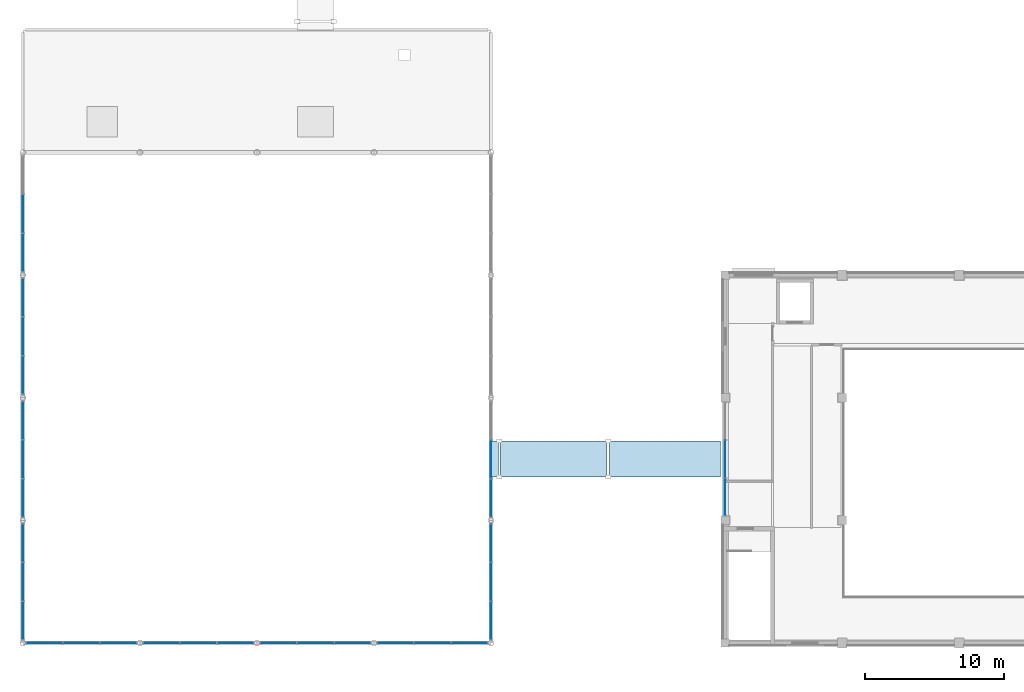
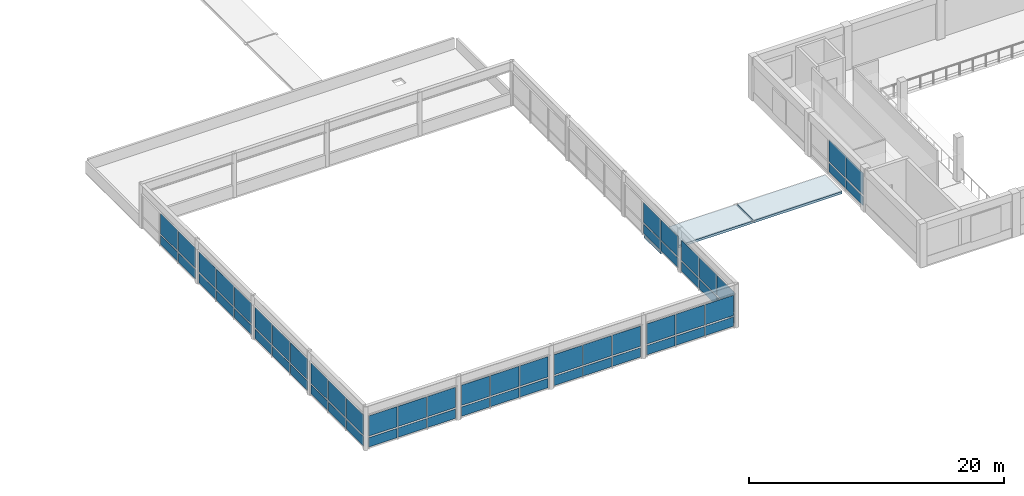
# One storey, part 25 of 46: 60 plates, 3 slabs, 11 elements without a shape of their own.
"""IFC4 building model written with IfcOpenShell, lengths in metres."""

from ifc_helpers import new_model, si_unit, direction, frame, origin, origin_2d, place, context, subcontext, project, spatial, polyline, rectangle, outline, extrude, material, layer, layer_set, type_object, element, aggregate, save


model = new_model("IFC4")

# Units and contexts
model_context = context("Model", 3, precision=1e-05, world=origin(), true_north=direction((0.0, 1.0)))
body_context = subcontext(model_context, "Body", "Model", "MODEL_VIEW")
ifc_project = project(units=[si_unit("LENGTHUNIT", "METRE"), si_unit("AREAUNIT", "SQUARE_METRE"), si_unit("VOLUMEUNIT", "CUBIC_METRE"), si_unit("PLANEANGLEUNIT", "RADIAN"), si_unit("MASSUNIT", "GRAM", prefix="KILO")], contexts=[model_context])

# Site, building, storey
site_placement = place(None, origin())
site = spatial("IfcSite", under=ifc_project, at=site_placement, CompositionType="ELEMENT")
building_placement = place(site_placement, origin())
building = spatial("IfcBuilding", under=site, at=building_placement, Name="Kemercrest Conservatory and Botanical Centre", CompositionType="ELEMENT")
storey_placement = place(building_placement, frame((0.0, 0.0, 9.0)))
storey = spatial("IfcBuildingStorey", under=building, at=storey_placement, Name="L02", CompositionType="ELEMENT", Elevation=9.0)

# Curtain wall, plates
ifc_material_1 = material(Name="Thermally broken aluminium and triple low-e glazing", Category="aluminium")
curtain_wall_type_1 = type_object("IfcCurtainWallType", Name="CW-30", PredefinedType="USERDEFINED", material=ifc_material_1)
curtain_wall_1_placement = place(storey_placement, origin())
curtain_wall_1 = element("IfcCurtainWall", 1, at=curtain_wall_1_placement, inside=storey, type_object=curtain_wall_type_1, Name="Unitised curtain wall CW-30 (CW:L02:V2-029)", ObjectType="UNITISED CURTAIN WALL", PredefinedType="USERDEFINED")
ifc_material_2 = material(Name="Triple low-e argon insulated glazing unit", Category="glass")
ifc_layer_1 = layer(ifc_material_2, 0.035888671875)
ifc_layer_set_1 = layer_set([ifc_layer_1], Name="Triple low-e argon insulated glazing unit")
plate_type_1 = type_object("IfcPlateType", Name="CW-PNL036", PredefinedType="CURTAIN_PANEL", material=ifc_layer_set_1)
plate_1_placement = place(storey_placement, frame((58.39990234375, 30.0, 0.179931640625), z_axis=(0.0, 0.0, 1.0), x_axis=(0.0, -1.0, 0.0)))
plate_1 = element("IfcPlate", 2, at=plate_1_placement, type_object=plate_type_1, Name="CW-30 panel 2.1", PredefinedType="CURTAIN_PANEL", context=body_context, shape_type="SweptSolid", body=[
    extrude(rectangle(XDim=2.671630859375, YDim=0.035888671875, at=origin_2d()), origin(), (0.0, 0.0, 1.0), 0.85009765625),
])
plate_2_placement = place(storey_placement, frame((58.39990234375, 30.0, 1.2099609375), z_axis=(0.0, 0.0, 1.0), x_axis=(0.0, -1.0, 0.0)))
plate_2 = element("IfcPlate", 3, at=plate_2_placement, type_object=plate_type_1, Name="CW-30 panel 2.2", PredefinedType="CURTAIN_PANEL", context=body_context, shape_type="SweptSolid", body=[
    extrude(rectangle(XDim=2.671630859375, YDim=0.035888671875, at=origin_2d()), origin(), (0.0, 0.0, 1.0), 2.06494140625),
])
plate_3_placement = place(storey_placement, frame((58.39990234375, 27.279541015625, 0.179931640625), z_axis=(0.0, 0.0, 1.0), x_axis=(0.0, -1.0, 0.0)))
plate_3 = element("IfcPlate", 4, at=plate_3_placement, type_object=plate_type_1, Name="CW-30 panel 3.1", PredefinedType="CURTAIN_PANEL", context=body_context, shape_type="SweptSolid", body=[
    extrude(rectangle(XDim=2.63916015625, YDim=0.035888671875, at=origin_2d()), origin(), (0.0, 0.0, 1.0), 0.85009765625),
])
plate_4_placement = place(storey_placement, frame((58.39990234375, 27.279541015625, 1.2099609375), z_axis=(0.0, 0.0, 1.0), x_axis=(0.0, -1.0, 0.0)))
plate_4 = element("IfcPlate", 5, at=plate_4_placement, type_object=plate_type_1, Name="CW-30 panel 3.2", PredefinedType="CURTAIN_PANEL", context=body_context, shape_type="SweptSolid", body=[
    extrude(rectangle(XDim=2.63916015625, YDim=0.035888671875, at=origin_2d()), origin(), (0.0, 0.0, 1.0), 2.06494140625),
])
aggregate(curtain_wall_1, [plate_1, plate_2, plate_3, plate_4])

curtain_wall_type_2 = type_object("IfcCurtainWallType", Name="CW-18", PredefinedType="USERDEFINED", material=ifc_material_1)
curtain_wall_2_placement = place(storey_placement, origin())
curtain_wall_2 = element("IfcCurtainWall", 6, at=curtain_wall_2_placement, inside=storey, type_object=curtain_wall_type_2, Name="Unitised curtain wall CW-18 (CW:L02:V1-017)", ObjectType="UNITISED CURTAIN WALL", PredefinedType="USERDEFINED")
ifc_material_3 = material(Name="Laminated solar-control conservatory glazing unit", Category="glass")
ifc_layer_2 = layer(ifc_material_3, 0.0419921875)
ifc_layer_set_2 = layer_set([ifc_layer_2], Name="Laminated solar-control conservatory glazing unit")
plate_type_2 = type_object("IfcPlateType", Name="CW-PNL042", PredefinedType="CURTAIN_PANEL", material=ifc_layer_set_2)
plate_5_placement = place(storey_placement, frame((9.552001953125, 16.800048828125, 0.14990234375), z_axis=(0.0, 0.0, 1.0), x_axis=(1.0, 0.0, 0.0)))
plate_5 = element("IfcPlate", 7, at=plate_5_placement, type_object=plate_type_2, Name="CW-18 panel 1.1", PredefinedType="CURTAIN_PANEL", context=body_context, shape_type="SweptSolid", body=[
    extrude(rectangle(XDim=2.55419921875, YDim=0.0419921875, at=origin_2d()), origin(), (0.0, 0.0, 1.0), 0.89501953125),
])
plate_6_placement = place(storey_placement, frame((9.552001953125, 16.800048828125, 1.195068359375), z_axis=(0.0, 0.0, 1.0), x_axis=(1.0, 0.0, 0.0)))
plate_6 = element("IfcPlate", 8, at=plate_6_placement, type_object=plate_type_2, Name="CW-18 panel 1.2", PredefinedType="CURTAIN_PANEL", context=body_context, shape_type="SweptSolid", body=[
    extrude(rectangle(XDim=2.55419921875, YDim=0.0419921875, at=origin_2d()), origin(), (0.0, 0.0, 1.0), 1.93310546875),
])
plate_7_placement = place(storey_placement, frame((12.199951171875, 16.800048828125, 0.14990234375), z_axis=(0.0, 0.0, 1.0), x_axis=(1.0, 0.0, 0.0)))
plate_7 = element("IfcPlate", 9, at=plate_7_placement, type_object=plate_type_2, Name="CW-18 panel 2.1", PredefinedType="CURTAIN_PANEL", context=body_context, shape_type="SweptSolid", body=[
    extrude(rectangle(XDim=2.591552734375, YDim=0.0419921875, at=origin_2d()), origin(), (0.0, 0.0, 1.0), 0.89501953125),
])
plate_8_placement = place(storey_placement, frame((12.199951171875, 16.800048828125, 1.195068359375), z_axis=(0.0, 0.0, 1.0), x_axis=(1.0, 0.0, 0.0)))
plate_8 = element("IfcPlate", 10, at=plate_8_placement, type_object=plate_type_2, Name="CW-18 panel 2.2", PredefinedType="CURTAIN_PANEL", context=body_context, shape_type="SweptSolid", body=[
    extrude(rectangle(XDim=2.591552734375, YDim=0.0419921875, at=origin_2d()), origin(), (0.0, 0.0, 1.0), 1.93310546875),
])
plate_9_placement = place(storey_placement, frame((14.847900390625, 16.800048828125, 0.14990234375), z_axis=(0.0, 0.0, 1.0), x_axis=(1.0, 0.0, 0.0)))
plate_9 = element("IfcPlate", 11, at=plate_9_placement, type_object=plate_type_2, Name="CW-18 panel 3.1", PredefinedType="CURTAIN_PANEL", context=body_context, shape_type="SweptSolid", body=[
    extrude(rectangle(XDim=2.55419921875, YDim=0.0419921875, at=origin_2d()), origin(), (0.0, 0.0, 1.0), 0.89501953125),
])
plate_10_placement = place(storey_placement, frame((14.847900390625, 16.800048828125, 1.195068359375), z_axis=(0.0, 0.0, 1.0), x_axis=(1.0, 0.0, 0.0)))
plate_10 = element("IfcPlate", 12, at=plate_10_placement, type_object=plate_type_2, Name="CW-18 panel 3.2", PredefinedType="CURTAIN_PANEL", context=body_context, shape_type="SweptSolid", body=[
    extrude(rectangle(XDim=2.55419921875, YDim=0.0419921875, at=origin_2d()), origin(), (0.0, 0.0, 1.0), 1.93310546875),
])
aggregate(curtain_wall_2, [plate_5, plate_6, plate_7, plate_8, plate_9, plate_10])

curtain_wall_type_3 = type_object("IfcCurtainWallType", Name="CW-19", PredefinedType="USERDEFINED", material=ifc_material_1)
curtain_wall_3_placement = place(storey_placement, origin())
curtain_wall_3 = element("IfcCurtainWall", 13, at=curtain_wall_3_placement, inside=storey, type_object=curtain_wall_type_3, Name="Unitised curtain wall CW-19 (CW:L02:V1-018)", ObjectType="UNITISED CURTAIN WALL", PredefinedType="USERDEFINED")
plate_11_placement = place(storey_placement, frame((17.9521484375, 16.800048828125, 0.14990234375), z_axis=(0.0, 0.0, 1.0), x_axis=(1.0, 0.0, 0.0)))
plate_11 = element("IfcPlate", 14, at=plate_11_placement, type_object=plate_type_2, Name="CW-19 panel 1.1", PredefinedType="CURTAIN_PANEL", context=body_context, shape_type="SweptSolid", body=[
    extrude(rectangle(XDim=2.55419921875, YDim=0.0419921875, at=origin_2d()), origin(), (0.0, 0.0, 1.0), 0.89501953125),
])
plate_12_placement = place(storey_placement, frame((17.9521484375, 16.800048828125, 1.195068359375), z_axis=(0.0, 0.0, 1.0), x_axis=(1.0, 0.0, 0.0)))
plate_12 = element("IfcPlate", 15, at=plate_12_placement, type_object=plate_type_2, Name="CW-19 panel 1.2", PredefinedType="CURTAIN_PANEL", context=body_context, shape_type="SweptSolid", body=[
    extrude(rectangle(XDim=2.55419921875, YDim=0.0419921875, at=origin_2d()), origin(), (0.0, 0.0, 1.0), 1.93310546875),
])
plate_13_placement = place(storey_placement, frame((20.60009765625, 16.800048828125, 0.14990234375), z_axis=(0.0, 0.0, 1.0), x_axis=(1.0, 0.0, 0.0)))
plate_13 = element("IfcPlate", 16, at=plate_13_placement, type_object=plate_type_2, Name="CW-19 panel 2.1", PredefinedType="CURTAIN_PANEL", context=body_context, shape_type="SweptSolid", body=[
    extrude(rectangle(XDim=2.591552734375, YDim=0.0419921875, at=origin_2d()), origin(), (0.0, 0.0, 1.0), 0.89501953125),
])
plate_14_placement = place(storey_placement, frame((20.60009765625, 16.800048828125, 1.195068359375), z_axis=(0.0, 0.0, 1.0), x_axis=(1.0, 0.0, 0.0)))
plate_14 = element("IfcPlate", 17, at=plate_14_placement, type_object=plate_type_2, Name="CW-19 panel 2.2", PredefinedType="CURTAIN_PANEL", context=body_context, shape_type="SweptSolid", body=[
    extrude(rectangle(XDim=2.591552734375, YDim=0.0419921875, at=origin_2d()), origin(), (0.0, 0.0, 1.0), 1.93310546875),
])
plate_15_placement = place(storey_placement, frame((23.247802734375, 16.800048828125, 0.14990234375), z_axis=(0.0, 0.0, 1.0), x_axis=(1.0, 0.0, 0.0)))
plate_15 = element("IfcPlate", 18, at=plate_15_placement, type_object=plate_type_2, Name="CW-19 panel 3.1", PredefinedType="CURTAIN_PANEL", context=body_context, shape_type="SweptSolid", body=[
    extrude(rectangle(XDim=2.55419921875, YDim=0.0419921875, at=origin_2d()), origin(), (0.0, 0.0, 1.0), 0.89501953125),
])
plate_16_placement = place(storey_placement, frame((23.247802734375, 16.800048828125, 1.195068359375), z_axis=(0.0, 0.0, 1.0), x_axis=(1.0, 0.0, 0.0)))
plate_16 = element("IfcPlate", 19, at=plate_16_placement, type_object=plate_type_2, Name="CW-19 panel 3.2", PredefinedType="CURTAIN_PANEL", context=body_context, shape_type="SweptSolid", body=[
    extrude(rectangle(XDim=2.55419921875, YDim=0.0419921875, at=origin_2d()), origin(), (0.0, 0.0, 1.0), 1.93310546875),
])
aggregate(curtain_wall_3, [plate_11, plate_12, plate_13, plate_14, plate_15, plate_16])

curtain_wall_type_4 = type_object("IfcCurtainWallType", Name="CW-20", PredefinedType="USERDEFINED", material=ifc_material_1)
curtain_wall_4_placement = place(storey_placement, origin())
curtain_wall_4 = element("IfcCurtainWall", 20, at=curtain_wall_4_placement, inside=storey, type_object=curtain_wall_type_4, Name="Unitised curtain wall CW-20 (CW:L02:V1-019)", ObjectType="UNITISED CURTAIN WALL", PredefinedType="USERDEFINED")
plate_17_placement = place(storey_placement, frame((26.35205078125, 16.800048828125, 0.14990234375), z_axis=(0.0, 0.0, 1.0), x_axis=(1.0, 0.0, 0.0)))
plate_17 = element("IfcPlate", 21, at=plate_17_placement, type_object=plate_type_2, Name="CW-20 panel 1.1", PredefinedType="CURTAIN_PANEL", context=body_context, shape_type="SweptSolid", body=[
    extrude(rectangle(XDim=2.55419921875, YDim=0.0419921875, at=origin_2d()), origin(), (0.0, 0.0, 1.0), 0.89501953125),
])
plate_18_placement = place(storey_placement, frame((26.35205078125, 16.800048828125, 1.195068359375), z_axis=(0.0, 0.0, 1.0), x_axis=(1.0, 0.0, 0.0)))
plate_18 = element("IfcPlate", 22, at=plate_18_placement, type_object=plate_type_2, Name="CW-20 panel 1.2", PredefinedType="CURTAIN_PANEL", context=body_context, shape_type="SweptSolid", body=[
    extrude(rectangle(XDim=2.55419921875, YDim=0.0419921875, at=origin_2d()), origin(), (0.0, 0.0, 1.0), 1.93310546875),
])
plate_19_placement = place(storey_placement, frame((29.0, 16.800048828125, 0.14990234375), z_axis=(0.0, 0.0, 1.0), x_axis=(1.0, 0.0, 0.0)))
plate_19 = element("IfcPlate", 23, at=plate_19_placement, type_object=plate_type_2, Name="CW-20 panel 2.1", PredefinedType="CURTAIN_PANEL", context=body_context, shape_type="SweptSolid", body=[
    extrude(rectangle(XDim=2.591552734375, YDim=0.0419921875, at=origin_2d()), origin(), (0.0, 0.0, 1.0), 0.89501953125),
])
plate_20_placement = place(storey_placement, frame((29.0, 16.800048828125, 1.195068359375), z_axis=(0.0, 0.0, 1.0), x_axis=(1.0, 0.0, 0.0)))
plate_20 = element("IfcPlate", 24, at=plate_20_placement, type_object=plate_type_2, Name="CW-20 panel 2.2", PredefinedType="CURTAIN_PANEL", context=body_context, shape_type="SweptSolid", body=[
    extrude(rectangle(XDim=2.591552734375, YDim=0.0419921875, at=origin_2d()), origin(), (0.0, 0.0, 1.0), 1.93310546875),
])
plate_21_placement = place(storey_placement, frame((31.64794921875, 16.800048828125, 0.14990234375), z_axis=(0.0, 0.0, 1.0), x_axis=(1.0, 0.0, 0.0)))
plate_21 = element("IfcPlate", 25, at=plate_21_placement, type_object=plate_type_2, Name="CW-20 panel 3.1", PredefinedType="CURTAIN_PANEL", context=body_context, shape_type="SweptSolid", body=[
    extrude(rectangle(XDim=2.55419921875, YDim=0.0419921875, at=origin_2d()), origin(), (0.0, 0.0, 1.0), 0.89501953125),
])
plate_22_placement = place(storey_placement, frame((31.64794921875, 16.800048828125, 1.195068359375), z_axis=(0.0, 0.0, 1.0), x_axis=(1.0, 0.0, 0.0)))
plate_22 = element("IfcPlate", 26, at=plate_22_placement, type_object=plate_type_2, Name="CW-20 panel 3.2", PredefinedType="CURTAIN_PANEL", context=body_context, shape_type="SweptSolid", body=[
    extrude(rectangle(XDim=2.55419921875, YDim=0.0419921875, at=origin_2d()), origin(), (0.0, 0.0, 1.0), 1.93310546875),
])
aggregate(curtain_wall_4, [plate_17, plate_18, plate_19, plate_20, plate_21, plate_22])

curtain_wall_type_5 = type_object("IfcCurtainWallType", Name="CW-21", PredefinedType="USERDEFINED", material=ifc_material_1)
curtain_wall_5_placement = place(storey_placement, origin())
curtain_wall_5 = element("IfcCurtainWall", 27, at=curtain_wall_5_placement, inside=storey, type_object=curtain_wall_type_5, Name="Unitised curtain wall CW-21 (CW:L02:V1-020)", ObjectType="UNITISED CURTAIN WALL", PredefinedType="USERDEFINED")
plate_23_placement = place(storey_placement, frame((34.752197265625, 16.800048828125, 0.14990234375), z_axis=(0.0, 0.0, 1.0), x_axis=(1.0, 0.0, 0.0)))
plate_23 = element("IfcPlate", 28, at=plate_23_placement, type_object=plate_type_2, Name="CW-21 panel 1.1", PredefinedType="CURTAIN_PANEL", context=body_context, shape_type="SweptSolid", body=[
    extrude(rectangle(XDim=2.55419921875, YDim=0.0419921875, at=origin_2d()), origin(), (0.0, 0.0, 1.0), 0.89501953125),
])
plate_24_placement = place(storey_placement, frame((34.752197265625, 16.800048828125, 1.195068359375), z_axis=(0.0, 0.0, 1.0), x_axis=(1.0, 0.0, 0.0)))
plate_24 = element("IfcPlate", 29, at=plate_24_placement, type_object=plate_type_2, Name="CW-21 panel 1.2", PredefinedType="CURTAIN_PANEL", context=body_context, shape_type="SweptSolid", body=[
    extrude(rectangle(XDim=2.55419921875, YDim=0.0419921875, at=origin_2d()), origin(), (0.0, 0.0, 1.0), 1.93310546875),
])
plate_25_placement = place(storey_placement, frame((37.39990234375, 16.800048828125, 0.14990234375), z_axis=(0.0, 0.0, 1.0), x_axis=(1.0, 0.0, 0.0)))
plate_25 = element("IfcPlate", 30, at=plate_25_placement, type_object=plate_type_2, Name="CW-21 panel 2.1", PredefinedType="CURTAIN_PANEL", context=body_context, shape_type="SweptSolid", body=[
    extrude(rectangle(XDim=2.591552734375, YDim=0.0419921875, at=origin_2d()), origin(), (0.0, 0.0, 1.0), 0.89501953125),
])
plate_26_placement = place(storey_placement, frame((37.39990234375, 16.800048828125, 1.195068359375), z_axis=(0.0, 0.0, 1.0), x_axis=(1.0, 0.0, 0.0)))
plate_26 = element("IfcPlate", 31, at=plate_26_placement, type_object=plate_type_2, Name="CW-21 panel 2.2", PredefinedType="CURTAIN_PANEL", context=body_context, shape_type="SweptSolid", body=[
    extrude(rectangle(XDim=2.591552734375, YDim=0.0419921875, at=origin_2d()), origin(), (0.0, 0.0, 1.0), 1.93310546875),
])
plate_27_placement = place(storey_placement, frame((40.0478515625, 16.800048828125, 0.14990234375), z_axis=(0.0, 0.0, 1.0), x_axis=(1.0, 0.0, 0.0)))
plate_27 = element("IfcPlate", 32, at=plate_27_placement, type_object=plate_type_2, Name="CW-21 panel 3.1", PredefinedType="CURTAIN_PANEL", context=body_context, shape_type="SweptSolid", body=[
    extrude(rectangle(XDim=2.55419921875, YDim=0.0419921875, at=origin_2d()), origin(), (0.0, 0.0, 1.0), 0.89501953125),
])
plate_28_placement = place(storey_placement, frame((40.0478515625, 16.800048828125, 1.195068359375), z_axis=(0.0, 0.0, 1.0), x_axis=(1.0, 0.0, 0.0)))
plate_28 = element("IfcPlate", 33, at=plate_28_placement, type_object=plate_type_2, Name="CW-21 panel 3.2", PredefinedType="CURTAIN_PANEL", context=body_context, shape_type="SweptSolid", body=[
    extrude(rectangle(XDim=2.55419921875, YDim=0.0419921875, at=origin_2d()), origin(), (0.0, 0.0, 1.0), 1.93310546875),
])
aggregate(curtain_wall_5, [plate_23, plate_24, plate_25, plate_26, plate_27, plate_28])

curtain_wall_type_6 = type_object("IfcCurtainWallType", Name="CW-22", PredefinedType="USERDEFINED", material=ifc_material_1)
curtain_wall_6_placement = place(storey_placement, origin())
curtain_wall_6 = element("IfcCurtainWall", 34, at=curtain_wall_6_placement, inside=storey, type_object=curtain_wall_type_6, Name="Unitised curtain wall CW-22 (CW:L02:V1-021)", ObjectType="UNITISED CURTAIN WALL", PredefinedType="USERDEFINED")
plate_29_placement = place(storey_placement, frame((41.60009765625, 18.418701171875, 0.14990234375), z_axis=(0.0, 0.0, 1.0), x_axis=(0.0, 1.0, 0.0)))
plate_29 = element("IfcPlate", 35, at=plate_29_placement, type_object=plate_type_2, Name="CW-22 panel 1.1", PredefinedType="CURTAIN_PANEL", context=body_context, shape_type="SweptSolid", body=[
    extrude(rectangle(XDim=2.6875, YDim=0.0419921875, at=origin_2d()), origin(), (0.0, 0.0, 1.0), 0.89501953125),
])
plate_30_placement = place(storey_placement, frame((41.60009765625, 18.418701171875, 1.195068359375), z_axis=(0.0, 0.0, 1.0), x_axis=(0.0, 1.0, 0.0)))
plate_30 = element("IfcPlate", 36, at=plate_30_placement, type_object=plate_type_2, Name="CW-22 panel 1.2", PredefinedType="CURTAIN_PANEL", context=body_context, shape_type="SweptSolid", body=[
    extrude(rectangle(XDim=2.6875, YDim=0.0419921875, at=origin_2d()), origin(), (0.0, 0.0, 1.0), 1.93310546875),
])
plate_31_placement = place(storey_placement, frame((41.60009765625, 21.199951171875, 0.14990234375), z_axis=(0.0, 0.0, 1.0), x_axis=(0.0, 1.0, 0.0)))
plate_31 = element("IfcPlate", 37, at=plate_31_placement, type_object=plate_type_2, Name="CW-22 panel 2.1", PredefinedType="CURTAIN_PANEL", context=body_context, shape_type="SweptSolid", body=[
    extrude(rectangle(XDim=2.72509765625, YDim=0.0419921875, at=origin_2d()), origin(), (0.0, 0.0, 1.0), 0.89501953125),
])
plate_32_placement = place(storey_placement, frame((41.60009765625, 21.199951171875, 1.195068359375), z_axis=(0.0, 0.0, 1.0), x_axis=(0.0, 1.0, 0.0)))
plate_32 = element("IfcPlate", 38, at=plate_32_placement, type_object=plate_type_2, Name="CW-22 panel 2.2", PredefinedType="CURTAIN_PANEL", context=body_context, shape_type="SweptSolid", body=[
    extrude(rectangle(XDim=2.72509765625, YDim=0.0419921875, at=origin_2d()), origin(), (0.0, 0.0, 1.0), 1.93310546875),
])
plate_33_placement = place(storey_placement, frame((41.60009765625, 23.981201171875, 0.14990234375), z_axis=(0.0, 0.0, 1.0), x_axis=(0.0, 1.0, 0.0)))
plate_33 = element("IfcPlate", 39, at=plate_33_placement, type_object=plate_type_2, Name="CW-22 panel 3.1", PredefinedType="CURTAIN_PANEL", context=body_context, shape_type="SweptSolid", body=[
    extrude(rectangle(XDim=2.6875, YDim=0.0419921875, at=origin_2d()), origin(), (0.0, 0.0, 1.0), 0.89501953125),
])
plate_34_placement = place(storey_placement, frame((41.60009765625, 23.981201171875, 1.195068359375), z_axis=(0.0, 0.0, 1.0), x_axis=(0.0, 1.0, 0.0)))
plate_34 = element("IfcPlate", 40, at=plate_34_placement, type_object=plate_type_2, Name="CW-22 panel 3.2", PredefinedType="CURTAIN_PANEL", context=body_context, shape_type="SweptSolid", body=[
    extrude(rectangle(XDim=2.6875, YDim=0.0419921875, at=origin_2d()), origin(), (0.0, 0.0, 1.0), 1.93310546875),
])
aggregate(curtain_wall_6, [plate_29, plate_30, plate_31, plate_32, plate_33, plate_34])

curtain_wall_type_7 = type_object("IfcCurtainWallType", Name="CW-23", PredefinedType="USERDEFINED", material=ifc_material_1)
curtain_wall_7_placement = place(storey_placement, origin())
curtain_wall_7 = element("IfcCurtainWall", 41, at=curtain_wall_7_placement, inside=storey, type_object=curtain_wall_type_7, Name="Unitised curtain wall CW-23 (CW:L02:V1-022)", ObjectType="UNITISED CURTAIN WALL", PredefinedType="USERDEFINED")
plate_35_placement = place(storey_placement, frame((41.60009765625, 27.21875, 0.14990234375), z_axis=(0.0, 0.0, 1.0), x_axis=(0.0, 1.0, 0.0)))
plate_35 = element("IfcPlate", 42, at=plate_35_placement, type_object=plate_type_2, Name="CW-23 panel 1.1", PredefinedType="CURTAIN_PANEL", context=body_context, shape_type="SweptSolid", body=[
    extrude(rectangle(XDim=2.6875, YDim=0.0419921875, at=origin_2d()), origin(), (0.0, 0.0, 1.0), 0.89501953125),
])
plate_36_placement = place(storey_placement, frame((41.60009765625, 27.21875, 1.195068359375), z_axis=(0.0, 0.0, 1.0), x_axis=(0.0, 1.0, 0.0)))
plate_36 = element("IfcPlate", 43, at=plate_36_placement, type_object=plate_type_2, Name="CW-23 panel 1.2", PredefinedType="CURTAIN_PANEL", context=body_context, shape_type="SweptSolid", body=[
    extrude(rectangle(XDim=2.6875, YDim=0.0419921875, at=origin_2d()), origin(), (0.0, 0.0, 1.0), 1.93310546875),
])
plate_37_placement = place(storey_placement, frame((41.60009765625, 30.0, 0.14990234375), z_axis=(0.0, 0.0, 1.0), x_axis=(0.0, 1.0, 0.0)))
plate_37 = element("IfcPlate", 44, at=plate_37_placement, type_object=plate_type_2, Name="CW-23 panel 2.1", PredefinedType="CURTAIN_PANEL", context=body_context, shape_type="SweptSolid", body=[
    extrude(rectangle(XDim=2.72509765625, YDim=0.0419921875, at=origin_2d()), origin(), (0.0, 0.0, 1.0), 0.89501953125),
])
plate_38_placement = place(storey_placement, frame((41.60009765625, 30.0, 1.195068359375), z_axis=(0.0, 0.0, 1.0), x_axis=(0.0, 1.0, 0.0)))
plate_38 = element("IfcPlate", 45, at=plate_38_placement, type_object=plate_type_2, Name="CW-23 panel 2.2", PredefinedType="CURTAIN_PANEL", context=body_context, shape_type="SweptSolid", body=[
    extrude(rectangle(XDim=2.72509765625, YDim=0.0419921875, at=origin_2d()), origin(), (0.0, 0.0, 1.0), 1.93310546875),
])
aggregate(curtain_wall_7, [plate_35, plate_36, plate_37, plate_38])

curtain_wall_type_8 = type_object("IfcCurtainWallType", Name="CW-26", PredefinedType="USERDEFINED", material=ifc_material_1)
curtain_wall_8_placement = place(storey_placement, origin())
curtain_wall_8 = element("IfcCurtainWall", 46, at=curtain_wall_8_placement, inside=storey, type_object=curtain_wall_type_8, Name="Unitised curtain wall CW-26 (CW:L02:V1-025)", ObjectType="UNITISED CURTAIN WALL", PredefinedType="USERDEFINED")
plate_39_placement = place(storey_placement, frame((8.0, 47.60009765625, 0.14990234375), z_axis=(0.0, 0.0, 1.0), x_axis=(0.0, -1.0, 0.0)))
plate_39 = element("IfcPlate", 47, at=plate_39_placement, type_object=plate_type_2, Name="CW-26 panel 2.1", PredefinedType="CURTAIN_PANEL", context=body_context, shape_type="SweptSolid", body=[
    extrude(rectangle(XDim=2.72509765625, YDim=0.0419921875, at=origin_2d()), origin(), (0.0, 0.0, 1.0), 0.89501953125),
])
plate_40_placement = place(storey_placement, frame((8.0, 47.60009765625, 1.195068359375), z_axis=(0.0, 0.0, 1.0), x_axis=(0.0, -1.0, 0.0)))
plate_40 = element("IfcPlate", 48, at=plate_40_placement, type_object=plate_type_2, Name="CW-26 panel 2.2", PredefinedType="CURTAIN_PANEL", context=body_context, shape_type="SweptSolid", body=[
    extrude(rectangle(XDim=2.72509765625, YDim=0.0419921875, at=origin_2d()), origin(), (0.0, 0.0, 1.0), 1.93310546875),
])
plate_41_placement = place(storey_placement, frame((8.0, 44.81884765625, 0.14990234375), z_axis=(0.0, 0.0, 1.0), x_axis=(0.0, -1.0, 0.0)))
plate_41 = element("IfcPlate", 49, at=plate_41_placement, type_object=plate_type_2, Name="CW-26 panel 3.1", PredefinedType="CURTAIN_PANEL", context=body_context, shape_type="SweptSolid", body=[
    extrude(rectangle(XDim=2.6875, YDim=0.0419921875, at=origin_2d()), origin(), (0.0, 0.0, 1.0), 0.89501953125),
])
plate_42_placement = place(storey_placement, frame((8.0, 44.81884765625, 1.195068359375), z_axis=(0.0, 0.0, 1.0), x_axis=(0.0, -1.0, 0.0)))
plate_42 = element("IfcPlate", 50, at=plate_42_placement, type_object=plate_type_2, Name="CW-26 panel 3.2", PredefinedType="CURTAIN_PANEL", context=body_context, shape_type="SweptSolid", body=[
    extrude(rectangle(XDim=2.6875, YDim=0.0419921875, at=origin_2d()), origin(), (0.0, 0.0, 1.0), 1.93310546875),
])
aggregate(curtain_wall_8, [plate_39, plate_40, plate_41, plate_42])

curtain_wall_type_9 = type_object("IfcCurtainWallType", Name="CW-27", PredefinedType="USERDEFINED", material=ifc_material_1)
curtain_wall_9_placement = place(storey_placement, origin())
curtain_wall_9 = element("IfcCurtainWall", 51, at=curtain_wall_9_placement, inside=storey, type_object=curtain_wall_type_9, Name="Unitised curtain wall CW-27 (CW:L02:V1-026)", ObjectType="UNITISED CURTAIN WALL", PredefinedType="USERDEFINED")
plate_43_placement = place(storey_placement, frame((8.0, 41.581298828125, 0.14990234375), z_axis=(0.0, 0.0, 1.0), x_axis=(0.0, -1.0, 0.0)))
plate_43 = element("IfcPlate", 52, at=plate_43_placement, type_object=plate_type_2, Name="CW-27 panel 1.1", PredefinedType="CURTAIN_PANEL", context=body_context, shape_type="SweptSolid", body=[
    extrude(rectangle(XDim=2.6875, YDim=0.0419921875, at=origin_2d()), origin(), (0.0, 0.0, 1.0), 0.89501953125),
])
plate_44_placement = place(storey_placement, frame((8.0, 41.581298828125, 1.195068359375), z_axis=(0.0, 0.0, 1.0), x_axis=(0.0, -1.0, 0.0)))
plate_44 = element("IfcPlate", 53, at=plate_44_placement, type_object=plate_type_2, Name="CW-27 panel 1.2", PredefinedType="CURTAIN_PANEL", context=body_context, shape_type="SweptSolid", body=[
    extrude(rectangle(XDim=2.6875, YDim=0.0419921875, at=origin_2d()), origin(), (0.0, 0.0, 1.0), 1.93310546875),
])
plate_45_placement = place(storey_placement, frame((8.0, 38.800048828125, 0.14990234375), z_axis=(0.0, 0.0, 1.0), x_axis=(0.0, -1.0, 0.0)))
plate_45 = element("IfcPlate", 54, at=plate_45_placement, type_object=plate_type_2, Name="CW-27 panel 2.1", PredefinedType="CURTAIN_PANEL", context=body_context, shape_type="SweptSolid", body=[
    extrude(rectangle(XDim=2.72509765625, YDim=0.0419921875, at=origin_2d()), origin(), (0.0, 0.0, 1.0), 0.89501953125),
])
plate_46_placement = place(storey_placement, frame((8.0, 38.800048828125, 1.195068359375), z_axis=(0.0, 0.0, 1.0), x_axis=(0.0, -1.0, 0.0)))
plate_46 = element("IfcPlate", 55, at=plate_46_placement, type_object=plate_type_2, Name="CW-27 panel 2.2", PredefinedType="CURTAIN_PANEL", context=body_context, shape_type="SweptSolid", body=[
    extrude(rectangle(XDim=2.72509765625, YDim=0.0419921875, at=origin_2d()), origin(), (0.0, 0.0, 1.0), 1.93310546875),
])
plate_47_placement = place(storey_placement, frame((8.0, 36.018798828125, 0.14990234375), z_axis=(0.0, 0.0, 1.0), x_axis=(0.0, -1.0, 0.0)))
plate_47 = element("IfcPlate", 56, at=plate_47_placement, type_object=plate_type_2, Name="CW-27 panel 3.1", PredefinedType="CURTAIN_PANEL", context=body_context, shape_type="SweptSolid", body=[
    extrude(rectangle(XDim=2.6875, YDim=0.0419921875, at=origin_2d()), origin(), (0.0, 0.0, 1.0), 0.89501953125),
])
plate_48_placement = place(storey_placement, frame((8.0, 36.018798828125, 1.195068359375), z_axis=(0.0, 0.0, 1.0), x_axis=(0.0, -1.0, 0.0)))
plate_48 = element("IfcPlate", 57, at=plate_48_placement, type_object=plate_type_2, Name="CW-27 panel 3.2", PredefinedType="CURTAIN_PANEL", context=body_context, shape_type="SweptSolid", body=[
    extrude(rectangle(XDim=2.6875, YDim=0.0419921875, at=origin_2d()), origin(), (0.0, 0.0, 1.0), 1.93310546875),
])
aggregate(curtain_wall_9, [plate_43, plate_44, plate_45, plate_46, plate_47, plate_48])

curtain_wall_type_10 = type_object("IfcCurtainWallType", Name="CW-28", PredefinedType="USERDEFINED", material=ifc_material_1)
curtain_wall_10_placement = place(storey_placement, origin())
curtain_wall_10 = element("IfcCurtainWall", 58, at=curtain_wall_10_placement, inside=storey, type_object=curtain_wall_type_10, Name="Unitised curtain wall CW-28 (CW:L02:V1-027)", ObjectType="UNITISED CURTAIN WALL", PredefinedType="USERDEFINED")
plate_49_placement = place(storey_placement, frame((8.0, 32.78125, 0.14990234375), z_axis=(0.0, 0.0, 1.0), x_axis=(0.0, -1.0, 0.0)))
plate_49 = element("IfcPlate", 59, at=plate_49_placement, type_object=plate_type_2, Name="CW-28 panel 1.1", PredefinedType="CURTAIN_PANEL", context=body_context, shape_type="SweptSolid", body=[
    extrude(rectangle(XDim=2.6875, YDim=0.0419921875, at=origin_2d()), origin(), (0.0, 0.0, 1.0), 0.89501953125),
])
plate_50_placement = place(storey_placement, frame((8.0, 32.78125, 1.195068359375), z_axis=(0.0, 0.0, 1.0), x_axis=(0.0, -1.0, 0.0)))
plate_50 = element("IfcPlate", 60, at=plate_50_placement, type_object=plate_type_2, Name="CW-28 panel 1.2", PredefinedType="CURTAIN_PANEL", context=body_context, shape_type="SweptSolid", body=[
    extrude(rectangle(XDim=2.6875, YDim=0.0419921875, at=origin_2d()), origin(), (0.0, 0.0, 1.0), 1.93310546875),
])
plate_51_placement = place(storey_placement, frame((8.0, 30.0, 0.14990234375), z_axis=(0.0, 0.0, 1.0), x_axis=(0.0, -1.0, 0.0)))
plate_51 = element("IfcPlate", 61, at=plate_51_placement, type_object=plate_type_2, Name="CW-28 panel 2.1", PredefinedType="CURTAIN_PANEL", context=body_context, shape_type="SweptSolid", body=[
    extrude(rectangle(XDim=2.72509765625, YDim=0.0419921875, at=origin_2d()), origin(), (0.0, 0.0, 1.0), 0.89501953125),
])
plate_52_placement = place(storey_placement, frame((8.0, 30.0, 1.195068359375), z_axis=(0.0, 0.0, 1.0), x_axis=(0.0, -1.0, 0.0)))
plate_52 = element("IfcPlate", 62, at=plate_52_placement, type_object=plate_type_2, Name="CW-28 panel 2.2", PredefinedType="CURTAIN_PANEL", context=body_context, shape_type="SweptSolid", body=[
    extrude(rectangle(XDim=2.72509765625, YDim=0.0419921875, at=origin_2d()), origin(), (0.0, 0.0, 1.0), 1.93310546875),
])
plate_53_placement = place(storey_placement, frame((8.0, 27.21875, 0.14990234375), z_axis=(0.0, 0.0, 1.0), x_axis=(0.0, -1.0, 0.0)))
plate_53 = element("IfcPlate", 63, at=plate_53_placement, type_object=plate_type_2, Name="CW-28 panel 3.1", PredefinedType="CURTAIN_PANEL", context=body_context, shape_type="SweptSolid", body=[
    extrude(rectangle(XDim=2.6875, YDim=0.0419921875, at=origin_2d()), origin(), (0.0, 0.0, 1.0), 0.89501953125),
])
plate_54_placement = place(storey_placement, frame((8.0, 27.21875, 1.195068359375), z_axis=(0.0, 0.0, 1.0), x_axis=(0.0, -1.0, 0.0)))
plate_54 = element("IfcPlate", 64, at=plate_54_placement, type_object=plate_type_2, Name="CW-28 panel 3.2", PredefinedType="CURTAIN_PANEL", context=body_context, shape_type="SweptSolid", body=[
    extrude(rectangle(XDim=2.6875, YDim=0.0419921875, at=origin_2d()), origin(), (0.0, 0.0, 1.0), 1.93310546875),
])
aggregate(curtain_wall_10, [plate_49, plate_50, plate_51, plate_52, plate_53, plate_54])

curtain_wall_type_11 = type_object("IfcCurtainWallType", Name="CW-29", PredefinedType="USERDEFINED", material=ifc_material_1)
curtain_wall_11_placement = place(storey_placement, origin())
curtain_wall_11 = element("IfcCurtainWall", 65, at=curtain_wall_11_placement, inside=storey, type_object=curtain_wall_type_11, Name="Unitised curtain wall CW-29 (CW:L02:V1-028)", ObjectType="UNITISED CURTAIN WALL", PredefinedType="USERDEFINED")
plate_55_placement = place(storey_placement, frame((8.0, 23.981201171875, 0.14990234375), z_axis=(0.0, 0.0, 1.0), x_axis=(0.0, -1.0, 0.0)))
plate_55 = element("IfcPlate", 66, at=plate_55_placement, type_object=plate_type_2, Name="CW-29 panel 1.1", PredefinedType="CURTAIN_PANEL", context=body_context, shape_type="SweptSolid", body=[
    extrude(rectangle(XDim=2.6875, YDim=0.0419921875, at=origin_2d()), origin(), (0.0, 0.0, 1.0), 0.89501953125),
])
plate_56_placement = place(storey_placement, frame((8.0, 23.981201171875, 1.195068359375), z_axis=(0.0, 0.0, 1.0), x_axis=(0.0, -1.0, 0.0)))
plate_56 = element("IfcPlate", 67, at=plate_56_placement, type_object=plate_type_2, Name="CW-29 panel 1.2", PredefinedType="CURTAIN_PANEL", context=body_context, shape_type="SweptSolid", body=[
    extrude(rectangle(XDim=2.6875, YDim=0.0419921875, at=origin_2d()), origin(), (0.0, 0.0, 1.0), 1.93310546875),
])
plate_57_placement = place(storey_placement, frame((8.0, 21.199951171875, 0.14990234375), z_axis=(0.0, 0.0, 1.0), x_axis=(0.0, -1.0, 0.0)))
plate_57 = element("IfcPlate", 68, at=plate_57_placement, type_object=plate_type_2, Name="CW-29 panel 2.1", PredefinedType="CURTAIN_PANEL", context=body_context, shape_type="SweptSolid", body=[
    extrude(rectangle(XDim=2.72509765625, YDim=0.0419921875, at=origin_2d()), origin(), (0.0, 0.0, 1.0), 0.89501953125),
])
plate_58_placement = place(storey_placement, frame((8.0, 21.199951171875, 1.195068359375), z_axis=(0.0, 0.0, 1.0), x_axis=(0.0, -1.0, 0.0)))
plate_58 = element("IfcPlate", 69, at=plate_58_placement, type_object=plate_type_2, Name="CW-29 panel 2.2", PredefinedType="CURTAIN_PANEL", context=body_context, shape_type="SweptSolid", body=[
    extrude(rectangle(XDim=2.72509765625, YDim=0.0419921875, at=origin_2d()), origin(), (0.0, 0.0, 1.0), 1.93310546875),
])
plate_59_placement = place(storey_placement, frame((8.0, 18.418701171875, 0.14990234375), z_axis=(0.0, 0.0, 1.0), x_axis=(0.0, -1.0, 0.0)))
plate_59 = element("IfcPlate", 70, at=plate_59_placement, type_object=plate_type_2, Name="CW-29 panel 3.1", PredefinedType="CURTAIN_PANEL", context=body_context, shape_type="SweptSolid", body=[
    extrude(rectangle(XDim=2.6875, YDim=0.0419921875, at=origin_2d()), origin(), (0.0, 0.0, 1.0), 0.89501953125),
])
plate_60_placement = place(storey_placement, frame((8.0, 18.418701171875, 1.195068359375), z_axis=(0.0, 0.0, 1.0), x_axis=(0.0, -1.0, 0.0)))
plate_60 = element("IfcPlate", 71, at=plate_60_placement, type_object=plate_type_2, Name="CW-29 panel 3.2", PredefinedType="CURTAIN_PANEL", context=body_context, shape_type="SweptSolid", body=[
    extrude(rectangle(XDim=2.6875, YDim=0.0419921875, at=origin_2d()), origin(), (0.0, 0.0, 1.0), 1.93310546875),
])
aggregate(curtain_wall_11, [plate_55, plate_56, plate_57, plate_58, plate_59, plate_60])

# Slabs
ifc_material_4 = material(Name="Concrete C40/50", Category="concrete")
ifc_layer_3 = layer(ifc_material_4, 0.22998046875)
ifc_layer_set_3 = layer_set([ifc_layer_3], Name="Concrete C40/50")
slab_type = type_object("IfcSlabType", Name="SL-RF230", PredefinedType="ROOF", material=ifc_layer_set_3)
slab_1_placement = place(storey_placement, frame((0.0, 0.0, -0.22998046875)))
element("IfcSlab", 72, at=slab_1_placement, inside=storey, type_object=slab_type, Name="South Courtyard Covered Passage SJ-1 L02 span 1 slab", PredefinedType="ROOF", context=body_context, shape_type="SweptSolid", body=[
    extrude(outline(polyline([(41.60009765625, 28.699951171875), (42.139892578125, 28.699951171875), (42.139892578125, 31.300048828125), (41.60009765625, 31.300048828125), (41.60009765625, 28.699951171875)])), origin(), (0.0, 0.0, 1.0), 0.22998046875),
])
slab_2_placement = place(storey_placement, frame((0.0, 0.0, -0.22998046875)))
element("IfcSlab", 73, at=slab_2_placement, inside=storey, type_object=slab_type, Name="South Courtyard Covered Passage SJ-1 L02 span 2 slab", PredefinedType="ROOF", context=body_context, shape_type="SweptSolid", body=[
    extrude(outline(polyline([(42.260009765625, 28.699951171875), (49.93994140625, 28.699951171875), (49.93994140625, 31.300048828125), (42.260009765625, 31.300048828125), (42.260009765625, 28.699951171875)])), origin(), (0.0, 0.0, 1.0), 0.22998046875),
])
slab_3_placement = place(storey_placement, frame((0.0, 0.0, -0.22998046875)))
element("IfcSlab", 74, at=slab_3_placement, inside=storey, type_object=slab_type, Name="South Courtyard Covered Passage SJ-1 L02 span 3 slab", PredefinedType="ROOF", context=body_context, shape_type="SweptSolid", body=[
    extrude(outline(polyline([(50.06005859375, 28.699951171875), (58.050048828125, 28.699951171875), (58.050048828125, 31.300048828125), (50.06005859375, 31.300048828125), (50.06005859375, 28.699951171875)])), origin(), (0.0, 0.0, 1.0), 0.22998046875),
])

save(model, "model.ifc")
